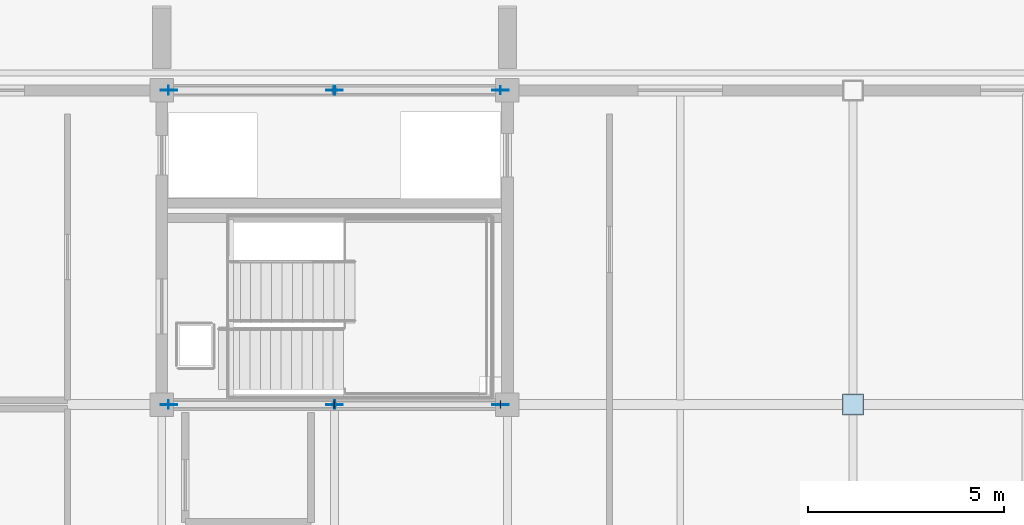
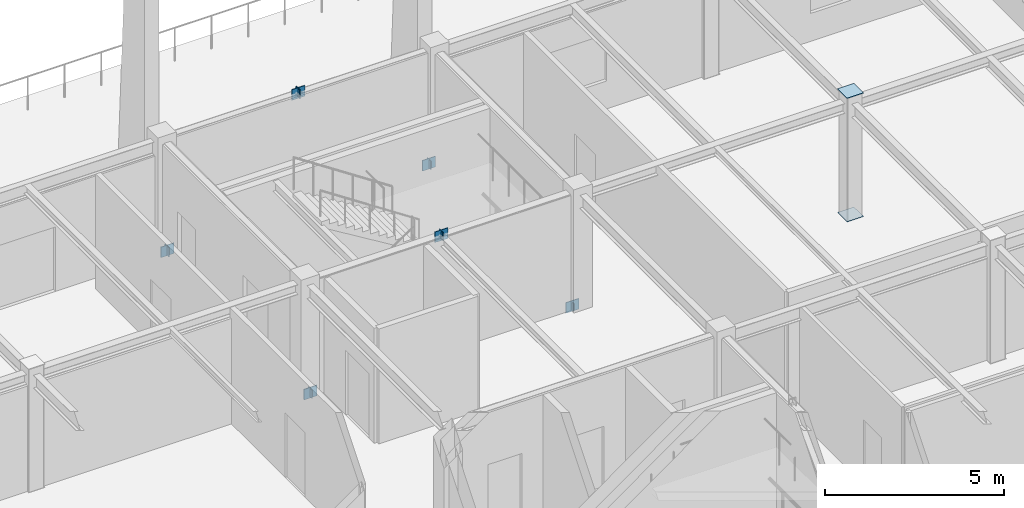
# One storey, part 13 of 22: 16 plates.
"""IFC4 building model written with IfcOpenShell, lengths in metres."""

from ifc_helpers import new_model, si_unit, direction, frame, origin, origin_2d, place, context, subcontext, project, spatial, rectangle, extrude, material, layer, layer_set, type_object, element, save


model = new_model("IFC4")

# Units and contexts
model_context = context("Model", 3, precision=1e-05, world=origin(), true_north=direction((0.0, 1.0)))
body_context = subcontext(model_context, "Body", "Model", "MODEL_VIEW")
ifc_project = project(units=[si_unit("LENGTHUNIT", "METRE"), si_unit("AREAUNIT", "SQUARE_METRE"), si_unit("VOLUMEUNIT", "CUBIC_METRE"), si_unit("PLANEANGLEUNIT", "RADIAN"), si_unit("MASSUNIT", "GRAM", prefix="KILO")], contexts=[model_context])

# Site, building, storey
site_placement = place(None, origin())
site = spatial("IfcSite", under=ifc_project, at=site_placement, CompositionType="ELEMENT")
building_placement = place(site_placement, origin())
building = spatial("IfcBuilding", under=site, at=building_placement, Name="Zhaolan Boulevard Law Courts", CompositionType="ELEMENT")
storey_placement = place(building_placement, frame((0.0, 0.0, 28.800048828125)))
storey = spatial("IfcBuildingStorey", under=building, at=storey_placement, Name="L06", CompositionType="ELEMENT", Elevation=28.800048828125)

# Plates
ifc_material_1 = material(Name="Structural steel Q355B", Category="steel")
ifc_layer_1 = layer(ifc_material_1, 0.02392578125)
ifc_layer_set_1 = layer_set([ifc_layer_1])
plate_type_1 = type_object("IfcPlateType", Name="BRACE GUSSET PLATE 24", PredefinedType="SHEET", material=ifc_layer_set_1)
for number, where, z_axis, x_axis, name in (
    (1, (17.780029296875, 70.0, -0.14990234375), (0.0, 0.0, 1.0), (1.0, 0.0, 0.0), "Brace Gusset Connection Plate GP-W2-L06-NA1"),
    (2, (26.219970703125, 70.0, -0.14990234375), (0.0, 0.0, 1.0), (1.0, 0.0, 0.0), "Brace Gusset Connection Plate GP-W2-L06-NA2"),
    (3, (22.0, 70.0, 3.73974609375), (0.0, 0.0, 1.0), (1.0, 0.0, 0.0), "Brace Gusset Connection Plate GP-W2-L06-NAPX"),
    (4, (17.780029296875, 62.0, -0.14990234375), (0.0, 0.0, 1.0), (1.0, 0.0, 0.0), "Brace Gusset Connection Plate GP-W2-L06-SA1"),
    (5, (26.219970703125, 62.0, -0.14990234375), (0.0, 0.0, 1.0), (1.0, 0.0, 0.0), "Brace Gusset Connection Plate GP-W2-L06-SA2"),
    (6, (22.0, 62.0, 3.73974609375), (0.0, 0.0, 1.0), (1.0, 0.0, 0.0), "Brace Gusset Connection Plate GP-W2-L06-SAPX"),
):
    element("IfcPlate", number, at=place(storey_placement, frame(where, z_axis=z_axis, x_axis=x_axis)), inside=storey, type_object=plate_type_1, Name=name, PredefinedType="SHEET", context=body_context, shape_type="SweptSolid", body=[
        extrude(rectangle(XDim=0.419921875, YDim=0.02392578125, at=origin_2d()), origin(), (0.0, 0.0, 1.0), 0.360107421875),
    ])
ifc_material_2 = material(Name="Structural steel Q355B", Category="steel")
ifc_layer_2 = layer(ifc_material_2, 0.02001953125)
ifc_layer_set_2 = layer_set([ifc_layer_2])
plate_type_2 = type_object("IfcPlateType", Name="END CAP PLATE 20", PredefinedType="SHEET", material=ifc_layer_set_2)
for number, where, z_axis, x_axis, name in (
    (7, (35.199951171875, 62.0, -0.01806640625), (0.0, 0.0, 1.0), (1.0, 0.0, 0.0), "Hollow Section End-Cap Plate ECP-0457"),
    (8, (35.199951171875, 62.0, 4.197998046875), (0.0, 0.0, 1.0), (1.0, 0.0, 0.0), "Hollow Section End-Cap Plate ECP-0458"),
):
    element("IfcPlate", number, at=place(storey_placement, frame(where, z_axis=z_axis, x_axis=x_axis)), inside=storey, type_object=plate_type_2, Name=name, PredefinedType="SHEET", context=body_context, shape_type="SweptSolid", body=[
        extrude(rectangle(XDim=0.530029296875, YDim=0.530029296875, at=origin_2d()), origin(), (0.0, 0.0, 1.0), 0.02001953125),
    ])
for number, where, z_axis, x_axis, name in (
    (9, (17.774169921875, 70.0, -0.1318359375), (0.0, 0.0, 1.0), (1.0, 0.0, 0.0), "Hollow Section End-Cap Plate ECP-1191"),
    (10, (22.005859375, 70.0, 3.768798828125), (0.0, 0.0, 1.0), (1.0, 0.0, 0.0), "Hollow Section End-Cap Plate ECP-1192"),
):
    element("IfcPlate", number, at=place(storey_placement, frame(where, z_axis=z_axis, x_axis=x_axis)), inside=storey, type_object=plate_type_2, Name=name, PredefinedType="SHEET", context=body_context, shape_type="SweptSolid", body=[
        extrude(rectangle(XDim=0.02001953125, YDim=0.22998046875, at=origin_2d()), origin(), (0.0, 0.0, 1.0), 0.31298828125),
    ])
for number, where, z_axis, x_axis, name in (
    (11, (26.225830078125, 70.0, -0.1181640625), (0.0, 0.0, 1.0), (-1.0, 0.0, 0.0), "Hollow Section End-Cap Plate ECP-1193"),
    (12, (21.994140625, 70.0, 3.7822265625), (0.0, 0.0, 1.0), (-1.0, 0.0, 0.0), "Hollow Section End-Cap Plate ECP-1194"),
    (13, (17.774169921875, 62.0, -0.1181640625), (0.0, 0.0, 1.0), (1.0, 0.0, 0.0), "Hollow Section End-Cap Plate ECP-1195"),
    (14, (22.005859375, 62.0, 3.7822265625), (0.0, 0.0, 1.0), (1.0, 0.0, 0.0), "Hollow Section End-Cap Plate ECP-1196"),
):
    element("IfcPlate", number, at=place(storey_placement, frame(where, z_axis=z_axis, x_axis=x_axis)), inside=storey, type_object=plate_type_2, Name=name, PredefinedType="SHEET", context=body_context, shape_type="SweptSolid", body=[
        extrude(rectangle(XDim=0.02001953125, YDim=0.2099609375, at=origin_2d()), origin(), (0.0, 0.0, 1.0), 0.285888671875),
    ])
for number, where, z_axis, x_axis, name in (
    (15, (26.225830078125, 62.0, -0.1044921875), (0.0, 0.0, 1.0), (-1.0, 0.0, 0.0), "Hollow Section End-Cap Plate ECP-1197"),
    (16, (21.994140625, 62.0, 3.79638671875), (0.0, 0.0, 1.0), (-1.0, 0.0, 0.0), "Hollow Section End-Cap Plate ECP-1198"),
):
    element("IfcPlate", number, at=place(storey_placement, frame(where, z_axis=z_axis, x_axis=x_axis)), inside=storey, type_object=plate_type_2, Name=name, PredefinedType="SHEET", context=body_context, shape_type="SweptSolid", body=[
        extrude(rectangle(XDim=0.02001953125, YDim=0.18994140625, at=origin_2d()), origin(), (0.0, 0.0, 1.0), 0.258056640625),
    ])

save(model, "model.ifc")
